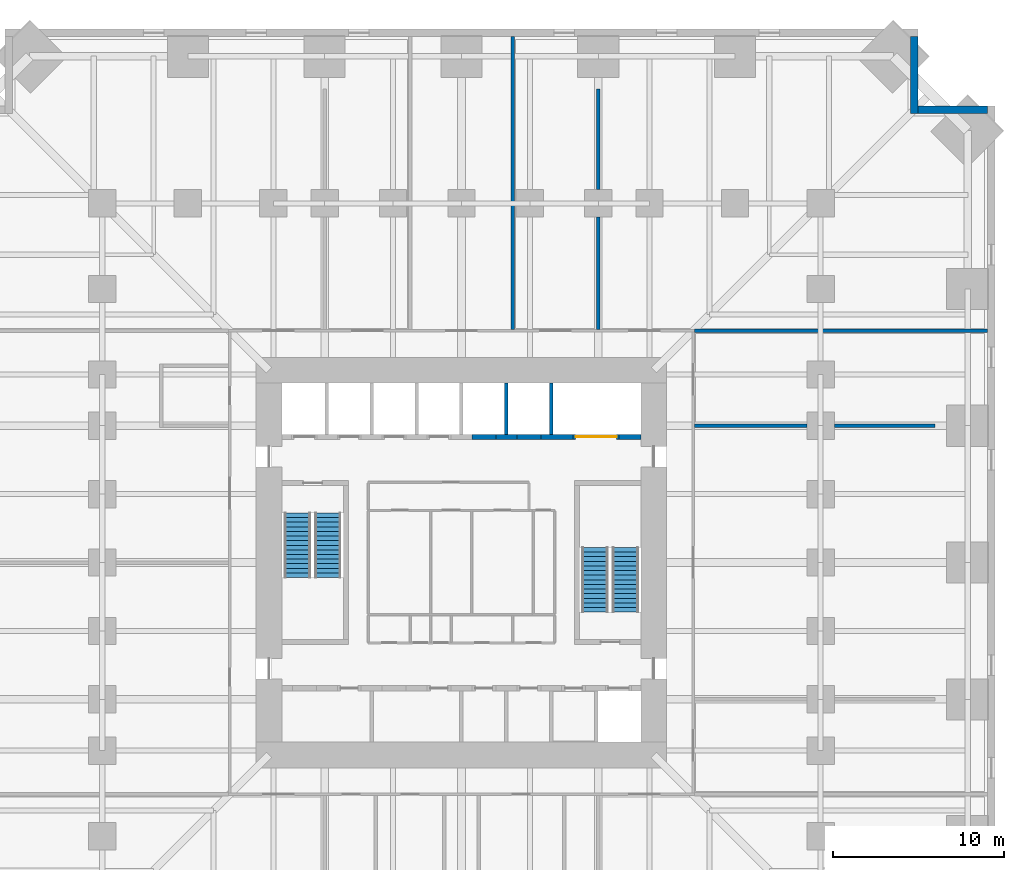
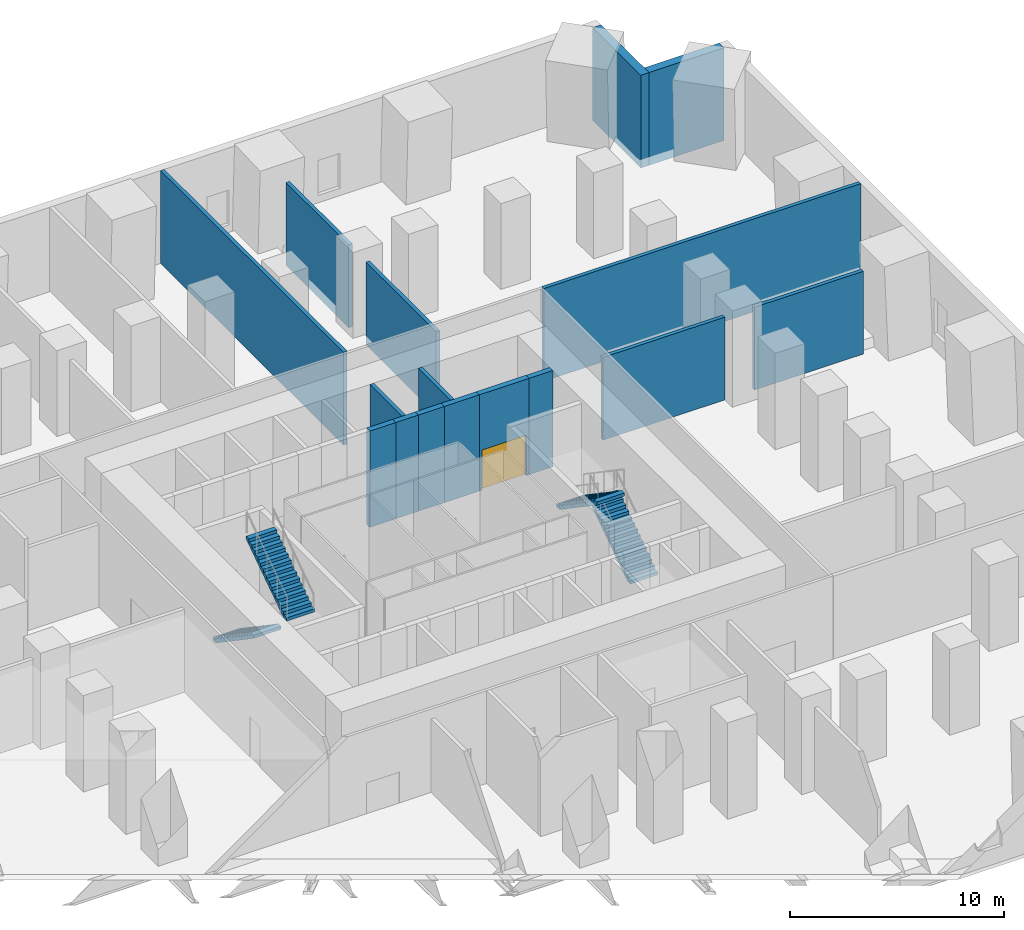
# One storey, part 7 of 8: 16 walls, 4 stair flights, 1 door, 1 opening, 2 elements without a shape of their own.
"""IFC4 building model written with IfcOpenShell, lengths in metres."""

from ifc_helpers import new_model, si_unit, direction, frame, frame_2d, origin, place, context, subcontext, project, spatial, polyline, rectangle, outline, extrude, material, layer, layer_set, type_object, element, fill, aggregate, save


model = new_model("IFC4")

# Units and contexts
model_context = context("Model", 3, precision=1e-05, world=origin(), true_north=direction((0.0, 1.0)))
body_context = subcontext(model_context, "Body", "Model", "MODEL_VIEW")
ifc_project = project(units=[si_unit("LENGTHUNIT", "METRE"), si_unit("AREAUNIT", "SQUARE_METRE"), si_unit("VOLUMEUNIT", "CUBIC_METRE"), si_unit("PLANEANGLEUNIT", "RADIAN"), si_unit("MASSUNIT", "GRAM", prefix="KILO")], contexts=[model_context])

# Site, building, storey
site_placement = place(None, origin())
site = spatial("IfcSite", under=ifc_project, at=site_placement, CompositionType="ELEMENT")
building_placement = place(site_placement, origin())
building = spatial("IfcBuilding", under=site, at=building_placement, Name="Peilmerk Tower", CompositionType="ELEMENT")
storey_placement = place(building_placement, frame((0.0, 0.0, 32.0)))
storey = spatial("IfcBuildingStorey", under=building, at=storey_placement, Name="L06", CompositionType="ELEMENT", Elevation=32.0)

# Walls
ifc_material_1 = material(Name="Precast concrete C45/55, board-marked finish", Category="concrete")
ifc_layer_1 = layer(ifc_material_1, 0.449951171875)
ifc_layer_set_1 = layer_set([ifc_layer_1], Name="Precast concrete C45/55, board-marked finish")
wall_type_1 = type_object("IfcWallType", Name="EW1 450 precast concrete facade wall, board-marked", PredefinedType="SOLIDWALL", material=ifc_layer_set_1)
wall_1_placement = place(storey_placement, frame((26.47509765625, 26.25, 0.0), z_axis=(0.0, 0.0, 1.0), x_axis=(0.0, 1.0, 0.0)))
element("IfcWall", 1, at=wall_1_placement, inside=storey, type_object=wall_type_1, Name="Facade wall NEA L06", PredefinedType="SOLIDWALL", context=body_context, shape_type="SweptSolid", body=[
    extrude(rectangle(XDim=4.5, YDim=0.449951171875, at=frame_2d((2.25, 0.0))), origin(), (0.0, 0.0, 1.0), 5.300048828125),
])
wall_2_placement = place(storey_placement, frame((26.699951171875, 26.47509765625, 0.0), z_axis=(0.0, 0.0, 1.0), x_axis=(1.0, 0.0, 0.0)))
element("IfcWall", 2, at=wall_2_placement, inside=storey, type_object=wall_type_1, Name="Facade wall NEB L06", PredefinedType="SOLIDWALL", context=body_context, shape_type="SweptSolid", body=[
    extrude(rectangle(XDim=4.050048828125, YDim=0.449951171875, at=frame_2d((2.02490234375, 0.0))), origin(), (0.0, 0.0, 1.0), 5.300048828125),
])
ifc_material_2 = material(Name="Calcium silicate block", Category="masonry")
ifc_layer_2 = layer(ifc_material_2, 0.199951171875)
ifc_layer_set_2 = layer_set([ifc_layer_2], Name="Calcium silicate block")
wall_type_2 = type_object("IfcWallType", Name="IW2 200 room separating wall, EI 120", PredefinedType="PARTITIONING", material=ifc_layer_set_2)
for number, where, z_axis, x_axis, name in (
    (3, (13.625, 13.550048828125, 0.0), (0.0, 0.0, 1.0), (1.0, 0.0, 0.0), "Room separating wall NE L06"),
    (4, (3.0, 13.625, 0.0), (0.0, 0.0, 1.0), (0.0, 1.0, 0.0), "Room separating wall N3 L06"),
):
    element("IfcWall", number, at=place(storey_placement, frame(where, z_axis=z_axis, x_axis=x_axis)), inside=storey, type_object=wall_type_2, Name=name, PredefinedType="PARTITIONING", context=body_context, shape_type="SweptSolid", body=[
        extrude(rectangle(XDim=17.125, YDim=0.199951171875, at=frame_2d((8.5625, 0.0))), origin(), (0.0, 0.0, 1.0), 5.300048828125),
    ])
wall_3_placement = place(storey_placement, frame((8.0, 13.625, 0.0), z_axis=(0.0, 0.0, 1.0), x_axis=(0.0, 1.0, 0.0)))
element("IfcWall", 5, at=wall_3_placement, inside=storey, type_object=wall_type_2, Name="Room separating wall N4 L06", PredefinedType="PARTITIONING", context=body_context, shape_type="SweptSolid", body=[
    extrude(rectangle(XDim=6.574951171875, YDim=0.199951171875, at=frame_2d((3.28759765625, 0.0))), origin(), (0.0, 0.0, 1.0), 4.73095703125),
])
wall_4_placement = place(storey_placement, frame((8.0, 21.800048828125, 0.0), z_axis=(0.0, 0.0, 1.0), x_axis=(0.0, 1.0, 0.0)))
element("IfcWall", 6, at=wall_4_placement, inside=storey, type_object=wall_type_2, Name="Room separating wall N4b L06", PredefinedType="PARTITIONING", context=body_context, shape_type="SweptSolid", body=[
    extrude(rectangle(XDim=5.887451171875, YDim=0.199951171875, at=frame_2d((2.94384765625, 0.0))), origin(), (0.0, 0.0, 1.0), 4.73095703125),
])
wall_5_placement = place(storey_placement, frame((13.625, 8.0, 0.0), z_axis=(0.0, 0.0, 1.0), x_axis=(1.0, 0.0, 0.0)))
element("IfcWall", 7, at=wall_5_placement, inside=storey, type_object=wall_type_2, Name="Room separating wall E2 L06", PredefinedType="PARTITIONING", context=body_context, shape_type="SweptSolid", body=[
    extrude(rectangle(XDim=6.574951171875, YDim=0.199951171875, at=frame_2d((3.28759765625, 0.0))), origin(), (0.0, 0.0, 1.0), 4.73095703125),
])
wall_6_placement = place(storey_placement, frame((21.800048828125, 8.0, 0.0), z_axis=(0.0, 0.0, 1.0), x_axis=(1.0, 0.0, 0.0)))
element("IfcWall", 8, at=wall_6_placement, inside=storey, type_object=wall_type_2, Name="Room separating wall E2b L06", PredefinedType="PARTITIONING", context=body_context, shape_type="SweptSolid", body=[
    extrude(rectangle(XDim=5.887451171875, YDim=0.199951171875, at=frame_2d((2.94384765625, 0.0))), origin(), (0.0, 0.0, 1.0), 4.73095703125),
])
ifc_layer_3 = layer(ifc_material_2, 0.199951171875)
ifc_layer_set_3 = layer_set([ifc_layer_3], Name="Calcium silicate block")
wall_type_3 = type_object("IfcWallType", Name="SH1 200 shaft dividing wall, EI 120", PredefinedType="PARTITIONING", material=ifc_layer_set_3)
for number, where, z_axis, x_axis, name in (
    (9, (2.625, 7.5, 0.0), (0.0, 0.0, 1.0), (0.0, 1.0, 0.0), "Shaft wall N S1 L06"),
    (10, (5.25, 7.5, 0.0), (0.0, 0.0, 1.0), (0.0, 1.0, 0.0), "Shaft wall N S2 L06"),
):
    element("IfcWall", number, at=place(storey_placement, frame(where, z_axis=z_axis, x_axis=x_axis)), inside=storey, type_object=wall_type_3, Name=name, PredefinedType="PARTITIONING", context=body_context, shape_type="SweptSolid", body=[
        extrude(rectangle(XDim=3.0, YDim=0.199951171875, at=frame_2d((1.5, 0.0))), origin(), (0.0, 0.0, 1.0), 5.5),
    ])
ifc_layer_4 = layer(ifc_material_2, 0.300048828125)
ifc_layer_set_4 = layer_set([ifc_layer_4], Name="Calcium silicate block")
wall_type_4 = type_object("IfcWallType", Name="SH2 300 lift landing door panel, EI 120", PredefinedType="PARTITIONING", material=ifc_layer_set_4)
for number, where, z_axis, x_axis, name in (
    (11, (0.612548828125, 7.35009765625, 0.0), (0.0, 0.0, 1.0), (1.0, 0.0, 0.0), "Lift door panel N S1 L06"),
    (12, (3.237548828125, 7.35009765625, 0.0), (0.0, 0.0, 1.0), (1.0, 0.0, 0.0), "Lift door panel N S2 L06"),
):
    element("IfcWall", number, at=place(storey_placement, frame(where, z_axis=z_axis, x_axis=x_axis)), inside=storey, type_object=wall_type_4, Name=name, PredefinedType="PARTITIONING", context=body_context, shape_type="SweptSolid", body=[
        extrude(rectangle(XDim=1.39990234375, YDim=0.300048828125, at=frame_2d((0.699951171875, 0.0))), origin(), (0.0, 0.0, 1.0), 5.5),
    ])

# Wall, opening, door
wall_7_placement = place(storey_placement, frame((6.52490234375, 7.35009765625, 0.0), z_axis=(0.0, 0.0, 1.0), x_axis=(1.0, 0.0, 0.0)))
wall_7 = element("IfcWall", 13, at=wall_7_placement, inside=storey, type_object=wall_type_4, Name="Lift door panel N GL1 L06", PredefinedType="PARTITIONING", context=body_context, shape_type="SweptSolid", body=[
    extrude(rectangle(XDim=2.7001953125, YDim=0.300048828125, at=frame_2d((1.35009765625, 0.0))), origin(), (0.0, 0.0, 1.0), 5.5),
])
opening_placement = place(wall_7_placement, frame((0.14990234375, 0.0, 0.0)))
opening = element("IfcOpeningElement", 14, at=opening_placement, cuts=wall_7, Name="Opening LD3", PredefinedType="OPENING", context=body_context, shape_type="SweptSolid", body=[
    extrude(rectangle(XDim=2.39990234375, YDim=2.300048828125, at=frame_2d((1.199951171875, 1.14990234375))), frame((0.0, 0.159912109375, 0.0), z_axis=(0.0, -1.0, 0.0), x_axis=(1.0, 0.0, 0.0)), (0.0, 0.0, 1.0), 0.320068359375),
])
ifc_material_3 = material(Name="Stainless steel landing door", Category="steel")
door_type = type_object("IfcDoorType", Name="LD3 2400x2300 lift landing door, sliding, EI2 60", OperationType="SLIDING_TO_LEFT", PredefinedType="DOOR", material=ifc_material_3)
door_placement = place(opening_placement, frame((2.39990234375, 0.0, 0.0), z_axis=(0.0, 0.0, 1.0), x_axis=(-1.0, 0.0, 0.0)))
door = element("IfcDoor", 15, at=door_placement, inside=storey, type_object=door_type, Name="Lift landing door GL1 L06", OperationType="SLIDING_TO_LEFT", OverallHeight=2.300048828125, OverallWidth=2.39990234375, PredefinedType="DOOR", context=body_context, shape_type="SweptSolid", body=[
    extrude(rectangle(XDim=2.39990234375, YDim=2.300048828125, at=frame_2d((1.199951171875, 1.14990234375))), frame((0.0, 0.02490234375, 0.0), z_axis=(0.0, -1.0, 0.0), x_axis=(1.0, 0.0, 0.0)), (0.0, 0.0, 1.0), 0.050048828125),
])
fill(opening, door)

# Walls
ifc_material_4 = material(Name="Concrete C55/67", Category="concrete")
ifc_layer_5 = layer(ifc_material_4, 0.300048828125)
ifc_layer_set_5 = layer_set([ifc_layer_5], Name="Concrete C55/67")
wall_type_5 = type_object("IfcWallType", Name="SW2 300 lift bank pier", PredefinedType="SHEAR", material=ifc_layer_set_5)
wall_8_placement = place(storey_placement, frame((2.012451171875, 7.35009765625, 0.0), z_axis=(0.0, 0.0, 1.0), x_axis=(1.0, 0.0, 0.0)))
element("IfcWall", 16, at=wall_8_placement, inside=storey, type_object=wall_type_5, Name="Lift bank pier N L06", PredefinedType="SHEAR", context=body_context, shape_type="SweptSolid", body=[
    extrude(rectangle(XDim=1.22509765625, YDim=0.300048828125, at=frame_2d((0.612548828125, 0.0))), origin(), (0.0, 0.0, 1.0), 5.5),
])
wall_9_placement = place(storey_placement, frame((4.637451171875, 7.35009765625, 0.0), z_axis=(0.0, 0.0, 1.0), x_axis=(1.0, 0.0, 0.0)))
element("IfcWall", 17, at=wall_9_placement, inside=storey, type_object=wall_type_5, Name="Lift bank pier N L06", PredefinedType="SHEAR", context=body_context, shape_type="SweptSolid", body=[
    extrude(rectangle(XDim=1.887451171875, YDim=0.300048828125, at=frame_2d((0.94384765625, 0.0))), origin(), (0.0, 0.0, 1.0), 5.5),
])
wall_10_placement = place(storey_placement, frame((9.22509765625, 7.35009765625, 0.0), z_axis=(0.0, 0.0, 1.0), x_axis=(1.0, 0.0, 0.0)))
element("IfcWall", 18, at=wall_10_placement, inside=storey, type_object=wall_type_5, Name="Lift bank pier N L06", PredefinedType="SHEAR", context=body_context, shape_type="SweptSolid", body=[
    extrude(rectangle(XDim=1.27490234375, YDim=0.300048828125, at=frame_2d((0.637451171875, 0.0))), origin(), (0.0, 0.0, 1.0), 5.5),
])

# Stair, stair flights
ifc_material_5 = material(Name="Precast concrete C45/55", Category="concrete")
stair_type_1 = type_object("IfcStairType", Name="ST1 30 risers of 183.3", PredefinedType="HALF_TURN_STAIR", material=ifc_material_5)
stair_1_placement = place(storey_placement, origin())
stair_1 = element("IfcStair", 19, at=stair_1_placement, inside=storey, type_object=stair_type_1, Name="Stair 1 L06 to L07", PredefinedType="HALF_TURN_STAIR")
stair_flight_type = type_object("IfcStairFlightType", Name="SF15 flight, 15 risers of 183.3", PredefinedType="STRAIGHT", material=ifc_material_5)
stair_flight_1_placement = place(storey_placement, frame((-9.60009765625, 2.89990234375, 0.0), z_axis=(0.0, 0.0, 1.0), x_axis=(0.0, -1.0, 0.0)))
stair_flight_1 = element("IfcStairFlight", 20, at=stair_flight_1_placement, type_object=stair_flight_type, Name="ST1 flight 1", NumberOfRisers=15, NumberOfTreads=14, PredefinedType="STRAIGHT", RiserHeight=0.183333333, TreadLength=0.27, context=body_context, shape_type="SweptSolid", body=[
    extrude(outline(polyline([(0.0, 0.0), (0.0, 0.183349609375), (0.27001953125, 0.183349609375), (0.27001953125, 0.36669921875), (0.5400390625, 0.36669921875), (0.5400390625, 0.550048828125), (0.81005859375, 0.550048828125), (0.81005859375, 0.7333984375), (1.080078125, 0.7333984375), (1.080078125, 0.916748046875), (1.35009765625, 0.916748046875), (1.35009765625, 1.10009765625), (1.6201171875, 1.10009765625), (1.6201171875, 1.283447265625), (1.889892578125, 1.283447265625), (1.889892578125, 1.466552734375), (2.159912109375, 1.466552734375), (2.159912109375, 1.64990234375), (2.429931640625, 1.64990234375), (2.429931640625, 1.833251953125), (2.699951171875, 1.833251953125), (2.699951171875, 2.0166015625), (2.969970703125, 2.0166015625), (2.969970703125, 2.199951171875), (3.239990234375, 2.199951171875), (3.239990234375, 2.38330078125), (3.510009765625, 2.38330078125), (3.510009765625, 2.566650390625), (3.780029296875, 2.566650390625), (3.780029296875, 2.75), (3.780029296875, 2.385498046875), (0.266845703125, 0.0), (0.0, 0.0)])), frame((0.0, 0.75, 0.0), z_axis=(0.0, -1.0, 0.0), x_axis=(1.0, 0.0, 0.0)), (0.0, 0.0, 1.0), 1.5),
])
stair_flight_2_placement = place(storey_placement, frame((-7.800048828125, -0.8798828125, 2.75), z_axis=(0.0, 0.0, 1.0), x_axis=(0.0, 1.0, 0.0)))
stair_flight_2 = element("IfcStairFlight", 21, at=stair_flight_2_placement, type_object=stair_flight_type, Name="ST1 flight 2", NumberOfRisers=15, NumberOfTreads=14, PredefinedType="STRAIGHT", RiserHeight=0.183333333, TreadLength=0.27, context=body_context, shape_type="SweptSolid", body=[
    extrude(outline(polyline([(0.0, 0.0), (0.0, 0.183349609375), (0.27001953125, 0.183349609375), (0.27001953125, 0.36669921875), (0.5400390625, 0.36669921875), (0.5400390625, 0.550048828125), (0.81005859375, 0.550048828125), (0.81005859375, 0.7333984375), (1.080078125, 0.7333984375), (1.080078125, 0.916748046875), (1.35009765625, 0.916748046875), (1.35009765625, 1.10009765625), (1.6201171875, 1.10009765625), (1.6201171875, 1.283447265625), (1.889892578125, 1.283447265625), (1.889892578125, 1.466552734375), (2.159912109375, 1.466552734375), (2.159912109375, 1.64990234375), (2.429931640625, 1.64990234375), (2.429931640625, 1.833251953125), (2.699951171875, 1.833251953125), (2.699951171875, 2.0166015625), (2.969970703125, 2.0166015625), (2.969970703125, 2.199951171875), (3.239990234375, 2.199951171875), (3.239990234375, 2.38330078125), (3.510009765625, 2.38330078125), (3.510009765625, 2.566650390625), (3.780029296875, 2.566650390625), (3.780029296875, 2.75), (3.780029296875, 2.385498046875), (0.266845703125, 0.0), (0.0, 0.0)])), frame((0.0, 0.75, 0.0), z_axis=(0.0, -1.0, 0.0), x_axis=(1.0, 0.0, 0.0)), (0.0, 0.0, 1.0), 1.5),
])
aggregate(stair_1, [stair_flight_1, stair_flight_2])

stair_type_2 = type_object("IfcStairType", Name="ST2 30 risers of 183.3", PredefinedType="HALF_TURN_STAIR", material=ifc_material_5)
stair_2_placement = place(storey_placement, origin())
stair_2 = element("IfcStair", 22, at=stair_2_placement, inside=storey, type_object=stair_type_2, Name="Stair 2 L06 to L07", PredefinedType="HALF_TURN_STAIR")
stair_flight_3_placement = place(storey_placement, frame((9.60009765625, -2.89990234375, 0.0), z_axis=(0.0, 0.0, 1.0), x_axis=(0.0, 1.0, 0.0)))
stair_flight_3 = element("IfcStairFlight", 23, at=stair_flight_3_placement, type_object=stair_flight_type, Name="ST2 flight 1", NumberOfRisers=15, NumberOfTreads=14, PredefinedType="STRAIGHT", RiserHeight=0.183333333, TreadLength=0.27, context=body_context, shape_type="SweptSolid", body=[
    extrude(outline(polyline([(0.0, 0.0), (0.0, 0.183349609375), (0.27001953125, 0.183349609375), (0.27001953125, 0.36669921875), (0.5400390625, 0.36669921875), (0.5400390625, 0.550048828125), (0.81005859375, 0.550048828125), (0.81005859375, 0.7333984375), (1.080078125, 0.7333984375), (1.080078125, 0.916748046875), (1.35009765625, 0.916748046875), (1.35009765625, 1.10009765625), (1.6201171875, 1.10009765625), (1.6201171875, 1.283447265625), (1.889892578125, 1.283447265625), (1.889892578125, 1.466552734375), (2.159912109375, 1.466552734375), (2.159912109375, 1.64990234375), (2.429931640625, 1.64990234375), (2.429931640625, 1.833251953125), (2.699951171875, 1.833251953125), (2.699951171875, 2.0166015625), (2.969970703125, 2.0166015625), (2.969970703125, 2.199951171875), (3.239990234375, 2.199951171875), (3.239990234375, 2.38330078125), (3.510009765625, 2.38330078125), (3.510009765625, 2.566650390625), (3.780029296875, 2.566650390625), (3.780029296875, 2.75), (3.780029296875, 2.385498046875), (0.266845703125, 0.0), (0.0, 0.0)])), frame((0.0, 0.75, 0.0), z_axis=(0.0, -1.0, 0.0), x_axis=(1.0, 0.0, 0.0)), (0.0, 0.0, 1.0), 1.5),
])
stair_flight_4_placement = place(storey_placement, frame((7.800048828125, 0.8798828125, 2.75), z_axis=(0.0, 0.0, 1.0), x_axis=(0.0, -1.0, 0.0)))
stair_flight_4 = element("IfcStairFlight", 24, at=stair_flight_4_placement, type_object=stair_flight_type, Name="ST2 flight 2", NumberOfRisers=15, NumberOfTreads=14, PredefinedType="STRAIGHT", RiserHeight=0.183333333, TreadLength=0.27, context=body_context, shape_type="SweptSolid", body=[
    extrude(outline(polyline([(0.0, 0.0), (0.0, 0.183349609375), (0.27001953125, 0.183349609375), (0.27001953125, 0.36669921875), (0.5400390625, 0.36669921875), (0.5400390625, 0.550048828125), (0.81005859375, 0.550048828125), (0.81005859375, 0.7333984375), (1.080078125, 0.7333984375), (1.080078125, 0.916748046875), (1.35009765625, 0.916748046875), (1.35009765625, 1.10009765625), (1.6201171875, 1.10009765625), (1.6201171875, 1.283447265625), (1.889892578125, 1.283447265625), (1.889892578125, 1.466552734375), (2.159912109375, 1.466552734375), (2.159912109375, 1.64990234375), (2.429931640625, 1.64990234375), (2.429931640625, 1.833251953125), (2.699951171875, 1.833251953125), (2.699951171875, 2.0166015625), (2.969970703125, 2.0166015625), (2.969970703125, 2.199951171875), (3.239990234375, 2.199951171875), (3.239990234375, 2.38330078125), (3.510009765625, 2.38330078125), (3.510009765625, 2.566650390625), (3.780029296875, 2.566650390625), (3.780029296875, 2.75), (3.780029296875, 2.385498046875), (0.266845703125, 0.0), (0.0, 0.0)])), frame((0.0, 0.75, 0.0), z_axis=(0.0, -1.0, 0.0), x_axis=(1.0, 0.0, 0.0)), (0.0, 0.0, 1.0), 1.5),
])
aggregate(stair_2, [stair_flight_3, stair_flight_4])

save(model, "model.ifc")
